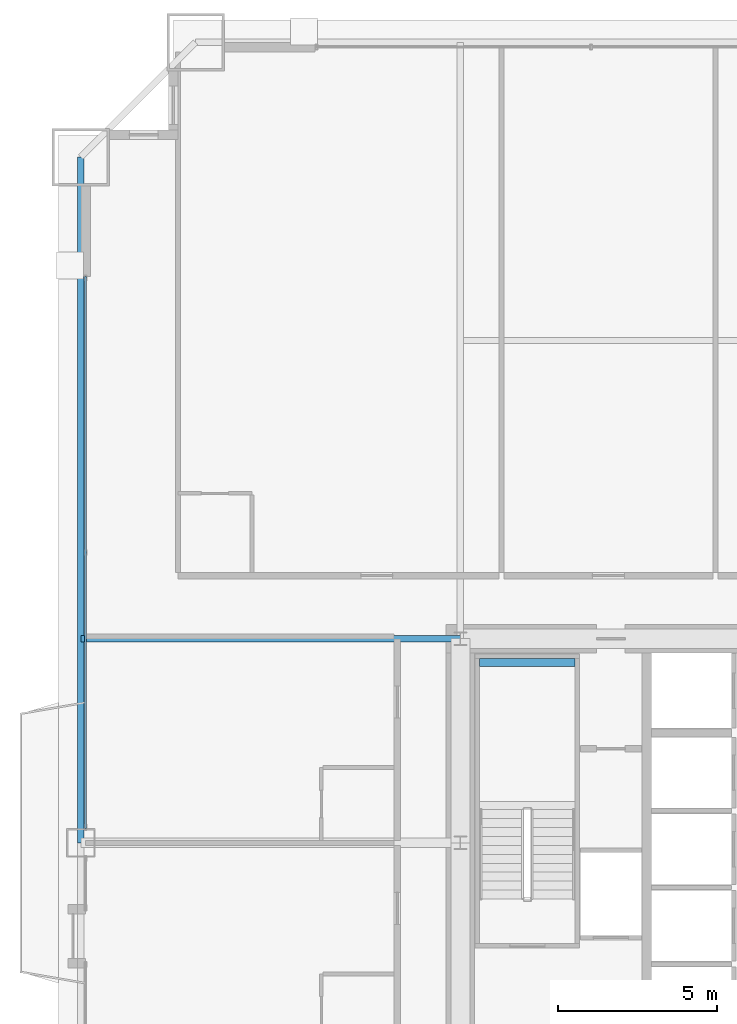
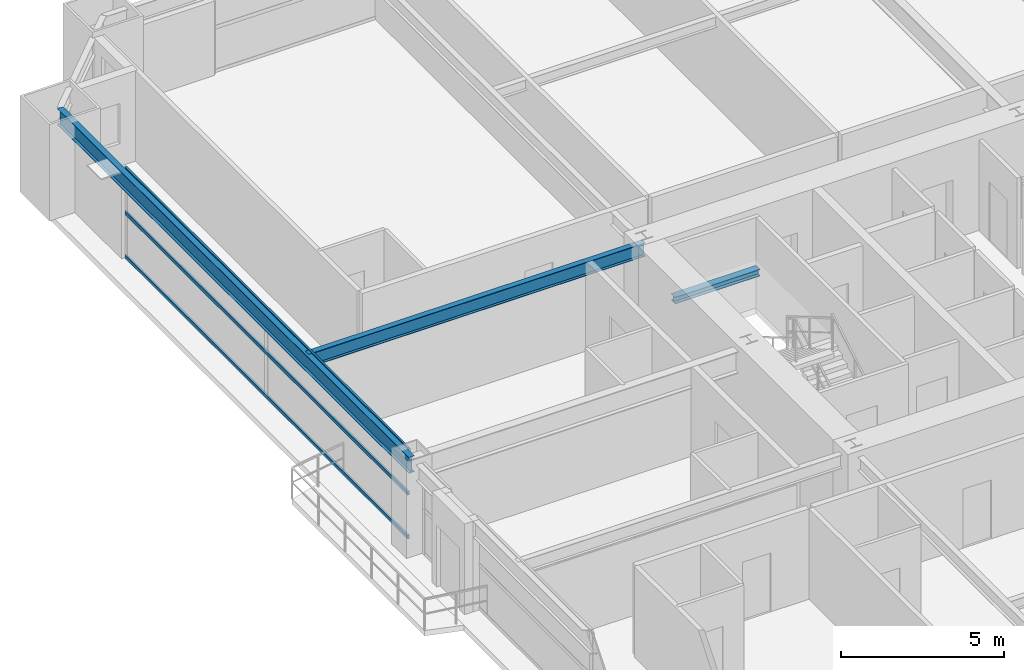
# One storey, part 25 of 46: 3 beams, 3 members, 1 element without a shape of its own.
"""IFC4 building model written with IfcOpenShell, lengths in metres."""

import ifcopenshell
import ifcopenshell.guid

model = None  # the IFC model being written
_history = None  # IfcOwnerHistory: only IFC2X3 demands one
_inside = {}  # id of a spatial element -> (the spatial element, [elements in it])
_under = {}  # id of a project, library or spatial element -> (it, [spatial elements below it])
_declared = {}  # id of a project -> (the project, [libraries it declares])
_typed = {}  # id of a type object -> (the type object, [elements of that type])
_made_of = {}  # id of a material, layer set ... -> (it, [elements and type objects made of it])


def new_model(schema):
    """Start an empty IFC model of exactly this schema.

    Asked for "IFC4X3", IfcOpenShell would pick the latest addendum, in which some entities
    have other attributes; the version numbers below select the first issue.
    IFC2X3 requires an IfcOwnerHistory on every rooted entity: one is made here for all.
    """
    global model, _history
    if schema == "IFC4X3":
        model = ifcopenshell.file(schema_version=(4, 3, 0, 0))
    else:
        model = ifcopenshell.file(schema=schema)
    _inside.clear()
    _under.clear()
    _declared.clear()
    _typed.clear()
    _made_of.clear()
    _history = None
    if model.schema == "IFC2X3":
        org = make("IfcOrganization", Name="unknown")
        user = make(
            "IfcPersonAndOrganization",
            ThePerson=make("IfcPerson", FamilyName="unknown"),
            TheOrganization=org,
        )
        app = make(
            "IfcApplication",
            ApplicationDeveloper=org,
            Version="unknown",
            ApplicationFullName="unknown",
            ApplicationIdentifier="unknown",
        )
        _history = make(
            "IfcOwnerHistory",
            OwningUser=user,
            OwningApplication=app,
            ChangeAction="ADDED",
            CreationDate=0,
        )
    return model


def make(cls, **values):
    """One entity of the class cls with the attributes given. An attribute that is None is left unset."""
    return model.create_entity(
        cls, **{name: value for name, value in values.items() if value is not None}
    )


def rooted(cls, **values):
    """An entity with a GlobalId (a new one), such as an element, a storey or a relation."""
    return make(cls, GlobalId=ifcopenshell.guid.new(), OwnerHistory=_history, **values)


def si_unit(unit_type, name, prefix=None):
    """IfcSIUnit, for example si_unit("LENGTHUNIT", "METRE", prefix="MILLI")."""
    return make("IfcSIUnit", UnitType=unit_type, Prefix=prefix, Name=name)


def assignment(units):
    """IfcUnitAssignment: the units of a project."""
    return None if units is None else make("IfcUnitAssignment", Units=units)


def point(xyz):
    """IfcCartesianPoint."""
    return None if xyz is None else make("IfcCartesianPoint", Coordinates=xyz)


def direction(xyz):
    """IfcDirection."""
    return None if xyz is None else make("IfcDirection", DirectionRatios=xyz)


def frame(location, z_axis=None, x_axis=None):
    """IfcAxis2Placement3D, a coordinate frame: its origin and axes. An axis left out is left unset."""
    return make(
        "IfcAxis2Placement3D",
        Location=point(location),
        Axis=direction(z_axis),
        RefDirection=direction(x_axis),
    )


def frame_2d(location, x_axis=None):
    """IfcAxis2Placement2D, a coordinate frame in the plane: its origin and x axis."""
    return make(
        "IfcAxis2Placement2D", Location=point(location), RefDirection=direction(x_axis)
    )


def origin():
    """The frame at (0, 0, 0) with its axes left unset."""
    return frame((0.0, 0.0, 0.0))


def origin_2d():
    """The frame at (0, 0) in the plane with its x axis left unset."""
    return frame_2d((0.0, 0.0))


def place(relative_to, where):
    """IfcLocalPlacement: puts the frame where relative to a parent placement (None: the world)."""
    return make(
        "IfcLocalPlacement", PlacementRelTo=relative_to, RelativePlacement=where
    )


def context(
    kind, dimensions, precision=None, world=None, true_north=None, identifier=None
):
    """IfcGeometricRepresentationContext, for example the 3D "Model" context."""
    return make(
        "IfcGeometricRepresentationContext",
        ContextIdentifier=identifier,
        ContextType=kind,
        CoordinateSpaceDimension=dimensions,
        Precision=precision,
        WorldCoordinateSystem=world,
        TrueNorth=true_north,
    )


def subcontext(parent, identifier, kind, view, scale=None):
    """IfcGeometricRepresentationSubContext, for example "Body" below "Model"."""
    return make(
        "IfcGeometricRepresentationSubContext",
        ContextIdentifier=identifier,
        ContextType=kind,
        ParentContext=parent,
        TargetScale=scale,
        TargetView=view,
    )


def project(units=None, contexts=None):
    """IfcProject with its units and contexts."""
    return rooted(
        "IfcProject",
        Name="project",
        RepresentationContexts=contexts,
        UnitsInContext=assignment(units),
    )


def spatial(cls, under=None, at=None, **own):
    """A site, building, storey or space (cls), placed at a placement, below another one or the project."""
    s = rooted(cls, ObjectPlacement=at, **own)
    if under is not None:
        _under.setdefault(under.id(), (under, []))[1].append(s)
    return s


def profile(cls, at=None, kind="AREA", **sizes):
    """A parametric profile (cls). Its sizes go by their IFC names, for example OverallWidth=200.0."""
    return make(cls, ProfileType=kind, Position=at, **sizes)


def hollow_rectangle(**sizes):
    """IfcRectangleHollowProfileDef."""
    return profile("IfcRectangleHollowProfileDef", **sizes)


def i_section(**sizes):
    """IfcIShapeProfileDef."""
    return profile("IfcIShapeProfileDef", **sizes)


def extrude(swept, where, along, depth):
    """IfcExtrudedAreaSolid: the profile swept, set in the frame where, extruded along a direction by depth."""
    return make(
        "IfcExtrudedAreaSolid",
        SweptArea=swept,
        Position=where,
        ExtrudedDirection=direction(along),
        Depth=depth,
    )


def shape(context_of_items, identifier, shape_type, items):
    """IfcShapeRepresentation: the items that make up one representation, for example the "Body"."""
    return make(
        "IfcShapeRepresentation",
        ContextOfItems=context_of_items,
        RepresentationIdentifier=identifier,
        RepresentationType=shape_type,
        Items=items,
    )


def source(mapping_origin, context_of_items, identifier, shape_type, items):
    """IfcRepresentationMap: a shape defined once, which mapped items show again and again."""
    return make(
        "IfcRepresentationMap",
        MappingOrigin=mapping_origin,
        MappedRepresentation=shape(context_of_items, identifier, shape_type, items),
    )


def transform(
    local_origin,
    x_axis=None,
    y_axis=None,
    z_axis=None,
    scale=None,
    scale2=None,
    scale3=None,
    uniform=True,
):
    """IfcCartesianTransformationOperator3D, or its non-uniform kind. x_axis, y_axis, z_axis: its Axis1, 2, 3."""
    if uniform:
        return make(
            "IfcCartesianTransformationOperator3D",
            Axis1=direction(x_axis),
            Axis2=direction(y_axis),
            LocalOrigin=point(local_origin),
            Scale=scale,
            Axis3=direction(z_axis),
        )
    return make(
        "IfcCartesianTransformationOperator3DnonUniform",
        Axis1=direction(x_axis),
        Axis2=direction(y_axis),
        LocalOrigin=point(local_origin),
        Scale=scale,
        Axis3=direction(z_axis),
        Scale2=scale2,
        Scale3=scale3,
    )


def mapped(mapping_source, mapping_target):
    """IfcMappedItem: shows the shape of a source again, moved by a transform."""
    return make(
        "IfcMappedItem", MappingSource=mapping_source, MappingTarget=mapping_target
    )


def material(Name=None, Category=None):
    """IfcMaterial."""
    return make("IfcMaterial", Name=Name, Category=Category)


def layer(
    of_material, thickness, ventilated=None, Name=None, Category=None, Priority=None
):
    """IfcMaterialLayer: one layer of a wall or slab, of a material (None: an air gap)."""
    return make(
        "IfcMaterialLayer",
        Material=of_material,
        LayerThickness=thickness,
        IsVentilated=ventilated,
        Name=Name,
        Category=Category,
        Priority=Priority,
    )


def layer_set(layers, Name=None):
    """IfcMaterialLayerSet."""
    return make("IfcMaterialLayerSet", MaterialLayers=layers, LayerSetName=Name)


def material_profile(
    of_material, cross_section, Name=None, Category=None, Priority=None
):
    """IfcMaterialProfile: a cross section and its material."""
    return make(
        "IfcMaterialProfile",
        Name=Name,
        Material=of_material,
        Profile=cross_section,
        Priority=Priority,
        Category=Category,
    )


def profile_set(profiles, Name=None, composite=None):
    """IfcMaterialProfileSet."""
    return make(
        "IfcMaterialProfileSet",
        Name=Name,
        MaterialProfiles=profiles,
        CompositeProfile=composite,
    )


def made_of(thing, what):
    """Note that an element or type object is made of a material, layer set ...; save() writes the relation."""
    if what is not None:
        _made_of.setdefault(what.id(), (what, []))[1].append(thing)
    return thing


def type_object(cls, material=None, **own):
    """A type object (cls), such as IfcWallType, which elements share."""
    return made_of(rooted(cls, **own), material)


def element(
    cls,
    number,
    at=None,
    inside=None,
    cuts=None,
    type_object=None,
    material=None,
    context=None,
    identifier="Body",
    shape_type=None,
    held_by="IfcProductDefinitionShape",
    body=None,
    shapes=None,
    **own,
):
    """One element of the class cls, such as IfcWall. Its Tag is "e" and its number.

    at: its placement. inside: the storey or other place that contains it. cuts: it is an
    opening in that element (IfcRelVoidsElement). A single representation is given by context,
    identifier, shape_type and body (its items); several are given by shapes. held_by: the class
    of the entity that holds the representations. save() writes the other relations.
    """
    e = rooted(cls, Tag="e%d" % number, ObjectPlacement=at, **own)
    if body is not None:
        shapes = [shape(context, identifier, shape_type, body)]
    if shapes is not None:
        e.Representation = make(held_by, Representations=shapes)
    if inside is not None:
        _inside.setdefault(inside.id(), (inside, []))[1].append(e)
    if cuts is not None:
        rooted(
            "IfcRelVoidsElement", RelatingBuildingElement=cuts, RelatedOpeningElement=e
        )
    if type_object is not None:
        _typed.setdefault(type_object.id(), (type_object, []))[1].append(e)
    return made_of(e, material)


def aggregate(whole, parts):
    """IfcRelAggregates: a whole, such as a stair, and the parts it consists of."""
    return rooted("IfcRelAggregates", RelatingObject=whole, RelatedObjects=parts)


def save(model, path):
    """Write the relations noted so far, then the file.

    IfcRelAggregates (storeys below a building ...), IfcRelContainedInSpatialStructure (elements
    in a storey), IfcRelDefinesByType, IfcRelAssociatesMaterial and IfcRelDeclares: one each for
    every whole, place, type object, material and project.
    """
    for whole, parts in _under.values():
        aggregate(whole, parts)
    for where, things in _inside.values():
        rooted(
            "IfcRelContainedInSpatialStructure",
            RelatedElements=things,
            RelatingStructure=where,
        )
    for kind, things in _typed.values():
        rooted("IfcRelDefinesByType", RelatedObjects=things, RelatingType=kind)
    for what, things in _made_of.values():
        rooted("IfcRelAssociatesMaterial", RelatedObjects=things, RelatingMaterial=what)
    for by, libraries in _declared.values():
        rooted("IfcRelDeclares", RelatingContext=by, RelatedDefinitions=libraries)
    model.write(path)


model = new_model("IFC4")

# Units and contexts
model_context = context("Model", 3, precision=1e-05, world=origin(), true_north=direction((0.0, 1.0)))
body_context = subcontext(model_context, "Body", "Model", "MODEL_VIEW")
ifc_project = project(units=[si_unit("LENGTHUNIT", "METRE"), si_unit("AREAUNIT", "SQUARE_METRE"), si_unit("VOLUMEUNIT", "CUBIC_METRE"), si_unit("PLANEANGLEUNIT", "RADIAN"), si_unit("MASSUNIT", "GRAM", prefix="KILO"), si_unit("THERMODYNAMICTEMPERATUREUNIT", "KELVIN"), si_unit("POWERUNIT", "WATT")], contexts=[model_context])

# Site, building, storey
site_placement = place(None, origin())
site = spatial("IfcSite", under=ifc_project, at=site_placement, CompositionType="ELEMENT")
building_placement = place(site_placement, origin())
building = spatial("IfcBuilding", under=site, at=building_placement, Name="Yuzanri Waterfront Tower", CompositionType="ELEMENT")
storey_placement = place(building_placement, frame((0.0, 0.0, 56.800048828125)))
storey = spatial("IfcBuildingStorey", under=building, at=storey_placement, Name="L14", CompositionType="ELEMENT", Elevation=56.800048828125)

# Beams
ifc_material_1 = material(Name="Steel Q355B", Category="steel")
ifc_material_profile_1 = material_profile(ifc_material_1, i_section(OverallWidth=0.199951171875, OverallDepth=0.60009765625, WebThickness=0.010986328125, FlangeThickness=0.01708984375, at=origin_2d()), Name="HN 600x200x11x17")
ifc_profile_set_1 = profile_set([ifc_material_profile_1], Name="Steel Q355B")
beam_type_1 = type_object("IfcBeamType", Name="Perimeter Spandrel Q355B HN 600x200", PredefinedType="SPANDREL", material=ifc_profile_set_1)
shared_shape_1 = source(origin(), body_context, "Body", "SweptSolid", [
    extrude(i_section(OverallWidth=0.199951171875, OverallDepth=0.60009765625, WebThickness=0.010986328125, FlangeThickness=0.01708984375, at=origin_2d()), origin(), (0.0, 0.0, 1.0), 21.5),
])
beam_1_placement = place(storey_placement, frame((11.89990234375, 47.300048828125, 3.079833984375), z_axis=(0.0, -1.0, 0.0), x_axis=(1.0, 0.0, 0.0)))
element("IfcBeam", 1, at=beam_1_placement, inside=storey, type_object=beam_type_1, Name="L14 Perimeter Spandrel W3-W2", PredefinedType="SPANDREL", context=body_context, shape_type="MappedRepresentation", body=[
    mapped(shared_shape_1, transform((0.0, 0.0, 0.0), scale=1.0)),
])
ifc_material_2 = material(Name="Steel Q355B", Category="steel")
ifc_material_profile_2 = material_profile(ifc_material_2, i_section(OverallWidth=0.199951171875, OverallDepth=0.5, WebThickness=0.010009765625, FlangeThickness=0.01611328125, at=origin_2d()), Name="HN 500x200x10x16")
ifc_profile_set_2 = profile_set([ifc_material_profile_2], Name="Steel Q355B")
beam_type_2 = type_object("IfcBeamType", Name="Secondary Floor Beam Q355B HN 500x200", PredefinedType="BEAM", material=ifc_profile_set_2)
shared_shape_2 = source(origin(), body_context, "Body", "SweptSolid", [
    extrude(i_section(OverallWidth=0.199951171875, OverallDepth=0.5, WebThickness=0.010009765625, FlangeThickness=0.01611328125, at=origin_2d()), origin(), (0.0, 0.0, 1.0), 11.900146484375),
])
beam_2_placement = place(storey_placement, frame((23.800048828125, 32.199951171875, 3.1298828125), z_axis=(-1.0, 0.0, 0.0), x_axis=(0.0, -1.0, 0.0)))
element("IfcBeam", 2, at=beam_2_placement, inside=storey, type_object=beam_type_2, Name="L14 West-North Core Line Beam", PredefinedType="BEAM", context=body_context, shape_type="MappedRepresentation", body=[
    mapped(shared_shape_2, transform((0.0, 0.0, 0.0), scale=1.0)),
])

# Curtain wall, members
ifc_material_3 = material(Name="Anodized Architectural Bronze", Category="metal")
ifc_layer = layer(ifc_material_3, 0.159912109375)
ifc_layer_set = layer_set([ifc_layer], Name="Anodized Architectural Bronze")
curtain_wall_type = type_object("IfcCurtainWallType", Name="Anodized Bronze Hotel Lower-Tier Recessed Unitized Curtain Wall 8100", PredefinedType="NOTDEFINED", material=ifc_layer_set)
curtain_wall_placement = place(storey_placement, origin())
curtain_wall = element("IfcCurtainWall", 3, at=curtain_wall_placement, inside=storey, type_object=curtain_wall_type, Name="L14 Curtain Wall CW-L14-WR", PredefinedType="NOTDEFINED")
ifc_material_4 = material(Name="Anodized Architectural Bronze", Category="metal")
ifc_material_profile_3 = material_profile(ifc_material_4, hollow_rectangle(XDim=0.070068359375, YDim=0.135009765625, WallThickness=0.00341796875, at=origin_2d()), Name="CWT 70x135")
ifc_profile_set_3 = profile_set([ifc_material_profile_3], Name="Anodized Architectural Bronze")
member_type = type_object("IfcMemberType", Name="Anodized Bronze Standard Curtain-Wall Transom 70x135", PredefinedType="USERDEFINED", material=ifc_profile_set_3)
shared_shape_3 = source(origin(), body_context, "Body", "SweptSolid", [
    extrude(hollow_rectangle(XDim=0.070068359375, YDim=0.135009765625, WallThickness=0.00341796875, at=origin_2d()), origin(), (0.0, 0.0, 1.0), 17.300048828125),
])
member_1_placement = place(storey_placement, frame((12.050048828125, 26.25, 0.050048828125), z_axis=(0.0, 1.0, 0.0), x_axis=(-1.0, 0.0, 0.0)))
member_1 = element("IfcMember", 4, at=member_1_placement, type_object=member_type, Name="CW-L14-WR Transom 1", ObjectType="TRANSOM", PredefinedType="USERDEFINED", context=body_context, shape_type="MappedRepresentation", body=[
    mapped(shared_shape_3, transform((0.0, 0.0, 0.0), scale=1.0)),
])
member_2_placement = place(storey_placement, frame((12.050048828125, 26.25, 1.68994140625), z_axis=(0.0, 1.0, 0.0), x_axis=(-1.0, 0.0, 0.0)))
member_2 = element("IfcMember", 5, at=member_2_placement, type_object=member_type, Name="CW-L14-WR Transom 2", ObjectType="TRANSOM", PredefinedType="USERDEFINED", context=body_context, shape_type="MappedRepresentation", body=[
    mapped(shared_shape_3, transform((0.0, 0.0, 0.0), scale=1.0)),
])
member_3_placement = place(storey_placement, frame((12.050048828125, 26.25, 3.329833984375), z_axis=(0.0, 1.0, 0.0), x_axis=(-1.0, 0.0, 0.0)))
member_3 = element("IfcMember", 6, at=member_3_placement, type_object=member_type, Name="CW-L14-WR Transom 3", ObjectType="TRANSOM", PredefinedType="USERDEFINED", context=body_context, shape_type="MappedRepresentation", body=[
    mapped(shared_shape_3, transform((0.0, 0.0, 0.0), scale=1.0)),
])
aggregate(curtain_wall, [member_1, member_2, member_3])

# Beam
ifc_material_5 = material(Name="Steel Q355B", Category="steel")
ifc_material_profile_4 = material_profile(ifc_material_5, i_section(OverallWidth=0.25, OverallDepth=0.25, WebThickness=0.009033203125, FlangeThickness=0.013916015625, at=origin_2d()), Name="HW 250x250x9x14")
ifc_profile_set_4 = profile_set([ifc_material_profile_4], Name="Steel Q355B")
beam_type_3 = type_object("IfcBeamType", Name="Stair Landing Support Beam Q355B HW 250x250", PredefinedType="BEAM", material=ifc_profile_set_4)
shared_shape_4 = source(origin(), body_context, "Body", "SweptSolid", [
    extrude(i_section(OverallWidth=0.25, OverallDepth=0.25, WebThickness=0.009033203125, FlangeThickness=0.013916015625, at=origin_2d()), origin(), (0.0, 0.0, 1.0), 3.0),
])
beam_3_placement = place(storey_placement, frame((24.39990234375, 31.449951171875, 1.474853515625), z_axis=(1.0, 0.0, 0.0), x_axis=(0.0, 1.0, 0.0)))
element("IfcBeam", 7, at=beam_3_placement, inside=storey, type_object=beam_type_3, Name="L14 Stair Landing Support Beam ST-01-L14-L1-2", PredefinedType="BEAM", context=body_context, shape_type="MappedRepresentation", body=[
    mapped(shared_shape_4, transform((0.0, 0.0, 0.0), scale=1.0)),
])

save(model, "model.ifc")
